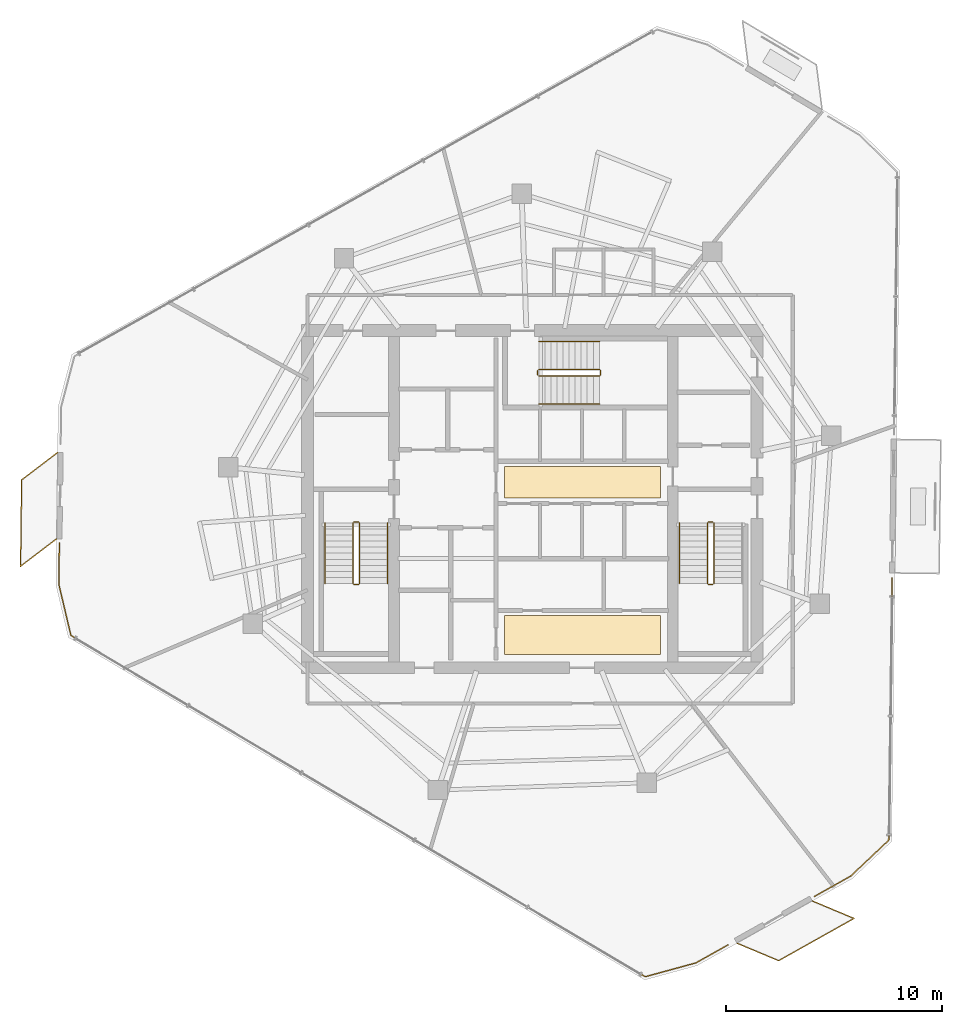
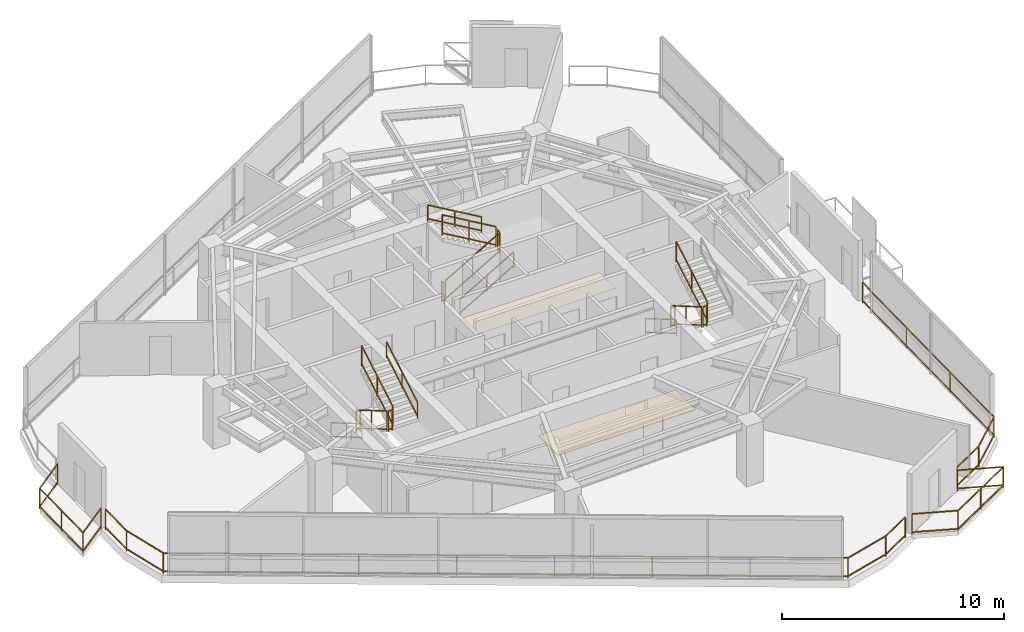
# One storey, part 17 of 18: 21 railings, 2 coverings.
"""IFC4 building model written with IfcOpenShell, lengths in metres."""

import ifcopenshell
import ifcopenshell.guid

model = None  # the IFC model being written
_history = None  # IfcOwnerHistory: only IFC2X3 demands one
_inside = {}  # id of a spatial element -> (the spatial element, [elements in it])
_under = {}  # id of a project, library or spatial element -> (it, [spatial elements below it])
_declared = {}  # id of a project -> (the project, [libraries it declares])
_typed = {}  # id of a type object -> (the type object, [elements of that type])
_made_of = {}  # id of a material, layer set ... -> (it, [elements and type objects made of it])


def new_model(schema):
    """Start an empty IFC model of exactly this schema.

    Asked for "IFC4X3", IfcOpenShell would pick the latest addendum, in which some entities
    have other attributes; the version numbers below select the first issue.
    IFC2X3 requires an IfcOwnerHistory on every rooted entity: one is made here for all.
    """
    global model, _history
    if schema == "IFC4X3":
        model = ifcopenshell.file(schema_version=(4, 3, 0, 0))
    else:
        model = ifcopenshell.file(schema=schema)
    _inside.clear()
    _under.clear()
    _declared.clear()
    _typed.clear()
    _made_of.clear()
    _history = None
    if model.schema == "IFC2X3":
        org = make("IfcOrganization", Name="unknown")
        user = make(
            "IfcPersonAndOrganization",
            ThePerson=make("IfcPerson", FamilyName="unknown"),
            TheOrganization=org,
        )
        app = make(
            "IfcApplication",
            ApplicationDeveloper=org,
            Version="unknown",
            ApplicationFullName="unknown",
            ApplicationIdentifier="unknown",
        )
        _history = make(
            "IfcOwnerHistory",
            OwningUser=user,
            OwningApplication=app,
            ChangeAction="ADDED",
            CreationDate=0,
        )
    return model


def make(cls, **values):
    """One entity of the class cls with the attributes given. An attribute that is None is left unset."""
    return model.create_entity(
        cls, **{name: value for name, value in values.items() if value is not None}
    )


def rooted(cls, **values):
    """An entity with a GlobalId (a new one), such as an element, a storey or a relation."""
    return make(cls, GlobalId=ifcopenshell.guid.new(), OwnerHistory=_history, **values)


def si_unit(unit_type, name, prefix=None):
    """IfcSIUnit, for example si_unit("LENGTHUNIT", "METRE", prefix="MILLI")."""
    return make("IfcSIUnit", UnitType=unit_type, Prefix=prefix, Name=name)


def assignment(units):
    """IfcUnitAssignment: the units of a project."""
    return None if units is None else make("IfcUnitAssignment", Units=units)


def point(xyz):
    """IfcCartesianPoint."""
    return None if xyz is None else make("IfcCartesianPoint", Coordinates=xyz)


def direction(xyz):
    """IfcDirection."""
    return None if xyz is None else make("IfcDirection", DirectionRatios=xyz)


def frame(location, z_axis=None, x_axis=None):
    """IfcAxis2Placement3D, a coordinate frame: its origin and axes. An axis left out is left unset."""
    return make(
        "IfcAxis2Placement3D",
        Location=point(location),
        Axis=direction(z_axis),
        RefDirection=direction(x_axis),
    )


def frame_2d(location, x_axis=None):
    """IfcAxis2Placement2D, a coordinate frame in the plane: its origin and x axis."""
    return make(
        "IfcAxis2Placement2D", Location=point(location), RefDirection=direction(x_axis)
    )


def origin():
    """The frame at (0, 0, 0) with its axes left unset."""
    return frame((0.0, 0.0, 0.0))


def origin_2d():
    """The frame at (0, 0) in the plane with its x axis left unset."""
    return frame_2d((0.0, 0.0))


def place(relative_to, where):
    """IfcLocalPlacement: puts the frame where relative to a parent placement (None: the world)."""
    return make(
        "IfcLocalPlacement", PlacementRelTo=relative_to, RelativePlacement=where
    )


def context(
    kind, dimensions, precision=None, world=None, true_north=None, identifier=None
):
    """IfcGeometricRepresentationContext, for example the 3D "Model" context."""
    return make(
        "IfcGeometricRepresentationContext",
        ContextIdentifier=identifier,
        ContextType=kind,
        CoordinateSpaceDimension=dimensions,
        Precision=precision,
        WorldCoordinateSystem=world,
        TrueNorth=true_north,
    )


def subcontext(parent, identifier, kind, view, scale=None):
    """IfcGeometricRepresentationSubContext, for example "Body" below "Model"."""
    return make(
        "IfcGeometricRepresentationSubContext",
        ContextIdentifier=identifier,
        ContextType=kind,
        ParentContext=parent,
        TargetScale=scale,
        TargetView=view,
    )


def project(units=None, contexts=None):
    """IfcProject with its units and contexts."""
    return rooted(
        "IfcProject",
        Name="project",
        RepresentationContexts=contexts,
        UnitsInContext=assignment(units),
    )


def spatial(cls, under=None, at=None, **own):
    """A site, building, storey or space (cls), placed at a placement, below another one or the project."""
    s = rooted(cls, ObjectPlacement=at, **own)
    if under is not None:
        _under.setdefault(under.id(), (under, []))[1].append(s)
    return s


def profile(cls, at=None, kind="AREA", **sizes):
    """A parametric profile (cls). Its sizes go by their IFC names, for example OverallWidth=200.0."""
    return make(cls, ProfileType=kind, Position=at, **sizes)


def rectangle(**sizes):
    """IfcRectangleProfileDef."""
    return profile("IfcRectangleProfileDef", **sizes)


def extrude(swept, where, along, depth):
    """IfcExtrudedAreaSolid: the profile swept, set in the frame where, extruded along a direction by depth."""
    return make(
        "IfcExtrudedAreaSolid",
        SweptArea=swept,
        Position=where,
        ExtrudedDirection=direction(along),
        Depth=depth,
    )


def shape(context_of_items, identifier, shape_type, items):
    """IfcShapeRepresentation: the items that make up one representation, for example the "Body"."""
    return make(
        "IfcShapeRepresentation",
        ContextOfItems=context_of_items,
        RepresentationIdentifier=identifier,
        RepresentationType=shape_type,
        Items=items,
    )


def material(Name=None, Category=None):
    """IfcMaterial."""
    return make("IfcMaterial", Name=Name, Category=Category)


def layer(
    of_material, thickness, ventilated=None, Name=None, Category=None, Priority=None
):
    """IfcMaterialLayer: one layer of a wall or slab, of a material (None: an air gap)."""
    return make(
        "IfcMaterialLayer",
        Material=of_material,
        LayerThickness=thickness,
        IsVentilated=ventilated,
        Name=Name,
        Category=Category,
        Priority=Priority,
    )


def layer_set(layers, Name=None):
    """IfcMaterialLayerSet."""
    return make("IfcMaterialLayerSet", MaterialLayers=layers, LayerSetName=Name)


def made_of(thing, what):
    """Note that an element or type object is made of a material, layer set ...; save() writes the relation."""
    if what is not None:
        _made_of.setdefault(what.id(), (what, []))[1].append(thing)
    return thing


def type_object(cls, material=None, **own):
    """A type object (cls), such as IfcWallType, which elements share."""
    return made_of(rooted(cls, **own), material)


def element(
    cls,
    number,
    at=None,
    inside=None,
    cuts=None,
    type_object=None,
    material=None,
    context=None,
    identifier="Body",
    shape_type=None,
    held_by="IfcProductDefinitionShape",
    body=None,
    shapes=None,
    **own,
):
    """One element of the class cls, such as IfcWall. Its Tag is "e" and its number.

    at: its placement. inside: the storey or other place that contains it. cuts: it is an
    opening in that element (IfcRelVoidsElement). A single representation is given by context,
    identifier, shape_type and body (its items); several are given by shapes. held_by: the class
    of the entity that holds the representations. save() writes the other relations.
    """
    e = rooted(cls, Tag="e%d" % number, ObjectPlacement=at, **own)
    if body is not None:
        shapes = [shape(context, identifier, shape_type, body)]
    if shapes is not None:
        e.Representation = make(held_by, Representations=shapes)
    if inside is not None:
        _inside.setdefault(inside.id(), (inside, []))[1].append(e)
    if cuts is not None:
        rooted(
            "IfcRelVoidsElement", RelatingBuildingElement=cuts, RelatedOpeningElement=e
        )
    if type_object is not None:
        _typed.setdefault(type_object.id(), (type_object, []))[1].append(e)
    return made_of(e, material)


def aggregate(whole, parts):
    """IfcRelAggregates: a whole, such as a stair, and the parts it consists of."""
    return rooted("IfcRelAggregates", RelatingObject=whole, RelatedObjects=parts)


def save(model, path):
    """Write the relations noted so far, then the file.

    IfcRelAggregates (storeys below a building ...), IfcRelContainedInSpatialStructure (elements
    in a storey), IfcRelDefinesByType, IfcRelAssociatesMaterial and IfcRelDeclares: one each for
    every whole, place, type object, material and project.
    """
    for whole, parts in _under.values():
        aggregate(whole, parts)
    for where, things in _inside.values():
        rooted(
            "IfcRelContainedInSpatialStructure",
            RelatedElements=things,
            RelatingStructure=where,
        )
    for kind, things in _typed.values():
        rooted("IfcRelDefinesByType", RelatedObjects=things, RelatingType=kind)
    for what, things in _made_of.values():
        rooted("IfcRelAssociatesMaterial", RelatedObjects=things, RelatingMaterial=what)
    for by, libraries in _declared.values():
        rooted("IfcRelDeclares", RelatingContext=by, RelatedDefinitions=libraries)
    model.write(path)


model = new_model("IFC4")

# Units and contexts
model_context = context("Model", 3, precision=1e-05, world=origin(), true_north=direction((0.0, 1.0)))
body_context = subcontext(model_context, "Body", "Model", "MODEL_VIEW")
ifc_project = project(units=[si_unit("LENGTHUNIT", "METRE"), si_unit("AREAUNIT", "SQUARE_METRE"), si_unit("VOLUMEUNIT", "CUBIC_METRE"), si_unit("PLANEANGLEUNIT", "RADIAN"), si_unit("MASSUNIT", "GRAM", prefix="KILO")], contexts=[model_context])

# Site, building, storey
site_placement = place(None, origin())
site = spatial("IfcSite", under=ifc_project, at=site_placement, CompositionType="ELEMENT")
building_placement = place(site_placement, origin())
building = spatial("IfcBuilding", under=site, at=building_placement, Name="Qarnah Convention Tower", CompositionType="ELEMENT")
storey_placement = place(building_placement, frame((0.0, 0.0, 177.0)))
storey = spatial("IfcBuildingStorey", under=building, at=storey_placement, Name="L47", CompositionType="ELEMENT", Elevation=177.0)

# Coverings
ifc_material_1 = material(Name="Mineral fibre acoustic ceiling")
ifc_layer_1 = layer(ifc_material_1, 0.02001953125)
ifc_layer_set_1 = layer_set([ifc_layer_1], Name="Mineral fibre acoustic ceiling")
covering_type_1 = type_object("IfcCoveringType", Name="COV-CEIL-20", PredefinedType="CEILING", material=ifc_layer_set_1)
covering_1_placement = place(storey_placement, frame((39.52001953125, 27.179931640625, 2.2900390625), z_axis=(0.0, 0.0, 1.0), x_axis=(1.0, 0.0, 0.0)))
element("IfcCovering", 1, at=covering_1_placement, inside=storey, type_object=covering_type_1, Name="L47 lift lobby acoustic ceiling", PredefinedType="CEILING", context=body_context, shape_type="SweptSolid", body=[
    extrude(rectangle(XDim=7.199951171875, YDim=1.449951171875, at=origin_2d()), origin(), (0.0, 0.0, 1.0), 0.02001953125),
])
ifc_material_2 = material(Name="Porcelain stone floor tile", Category="masonry")
ifc_layer_2 = layer(ifc_material_2, 0.02001953125)
ifc_layer_set_2 = layer_set([ifc_layer_2], Name="Porcelain stone floor tile")
covering_type_2 = type_object("IfcCoveringType", Name="COV-FLOOR-20", PredefinedType="FLOORING", material=ifc_layer_set_2)
covering_2_placement = place(storey_placement, frame((39.52001953125, 20.1201171875, 0.0), z_axis=(0.0, 0.0, 1.0), x_axis=(1.0, 0.0, 0.0)))
element("IfcCovering", 2, at=covering_2_placement, inside=storey, type_object=covering_type_2, Name="L47 lift lobby porcelain stone flooring", PredefinedType="FLOORING", context=body_context, shape_type="SweptSolid", body=[
    extrude(rectangle(XDim=7.199951171875, YDim=1.800048828125, at=origin_2d()), origin(), (0.0, 0.0, 1.0), 0.02001953125),
])

# Railings
ifc_material_3 = material(Name="Black anodised aluminium", Category="aluminium")
railing_type_1 = type_object("IfcRailingType", Name="RL-EXT-GUARD-1150", PredefinedType="GUARDRAIL", material=ifc_material_3)
railing_1_placement = place(storey_placement, frame((53.843994140625, 22.757080078125, 0.0)))
element("IfcRailing", 3, at=railing_1_placement, inside=storey, type_object=railing_type_1, Name="L47 slab-edge perimeter safety guard 03", PredefinedType="GUARDRAIL", context=body_context, shape_type="SweptSolid", body=[
    extrude(rectangle(XDim=0.048095703125, YDim=0.048095703125, at=origin_2d()), frame((0.0, 0.0, 1.1259765625), z_axis=(-0.012531957533, -0.999921471937, 0.0), x_axis=(0.999921471937, -0.012531957533, 0.0)), (0.0, 0.0, 1.0), 12.136962890625),
    extrude(rectangle(XDim=0.048095703125, YDim=0.048095703125, at=origin_2d()), frame((0.0, 0.0, 0.1201171875), z_axis=(-0.012531957533, -0.999921471937, 0.0), x_axis=(0.999921471937, -0.012531957533, 0.0)), (0.0, 0.0, 1.0), 12.136962890625),
    extrude(rectangle(XDim=0.048095703125, YDim=0.048095703125, at=origin_2d()), frame((-0.152099609375, -12.135986328125, 1.1259765625), z_axis=(-0.727786072794, -0.685804222973, 0.0), x_axis=(0.685804222973, -0.727786072794, 0.0)), (0.0, 0.0, 1.0), 2.425048828125),
    extrude(rectangle(XDim=0.048095703125, YDim=0.048095703125, at=origin_2d()), frame((-0.152099609375, -12.135986328125, 0.1201171875), z_axis=(-0.727786072794, -0.685804222973, 0.0), x_axis=(0.685804222973, -0.727786072794, 0.0)), (0.0, 0.0, 1.0), 2.425048828125),
    extrude(rectangle(XDim=0.048095703125, YDim=0.048095703125, at=origin_2d()), frame((-1.9169921875, -13.799072265625, 1.1259765625), z_axis=(-0.872283821626, -0.488999933057, 0.0), x_axis=(0.488999933057, -0.872283821626, 0.0)), (0.0, 0.0, 1.0), 1.9306640625),
    extrude(rectangle(XDim=0.048095703125, YDim=0.048095703125, at=origin_2d()), frame((-1.9169921875, -13.799072265625, 0.1201171875), z_axis=(-0.872283821626, -0.488999933057, 0.0), x_axis=(0.488999933057, -0.872283821626, 0.0)), (0.0, 0.0, 1.0), 1.9306640625),
    extrude(rectangle(XDim=0.0419921875, YDim=0.0419921875, at=origin_2d()), origin(), (0.0, 0.0, 1.0), 1.101806640625),
    extrude(rectangle(XDim=0.0419921875, YDim=0.0419921875, at=origin_2d()), frame((-0.05078125, -4.04541015625, 0.0)), (0.0, 0.0, 1.0), 1.101806640625),
    extrude(rectangle(XDim=0.0419921875, YDim=0.0419921875, at=origin_2d()), frame((-0.101318359375, -8.090576171875, 0.0)), (0.0, 0.0, 1.0), 1.101806640625),
    extrude(rectangle(XDim=0.0419921875, YDim=0.0419921875, at=origin_2d()), frame((-0.152099609375, -12.135986328125, 0.0)), (0.0, 0.0, 1.0), 1.101806640625),
    extrude(rectangle(XDim=0.0419921875, YDim=0.0419921875, at=origin_2d()), frame((-1.9169921875, -13.799072265625, 0.0)), (0.0, 0.0, 1.0), 1.101806640625),
    extrude(rectangle(XDim=0.0419921875, YDim=0.0419921875, at=origin_2d()), frame((-3.60107421875, -14.7431640625, 0.0)), (0.0, 0.0, 1.0), 1.101806640625),
])
railing_2_placement = place(storey_placement, frame((46.26708984375, 5.784912109375, 0.0)))
element("IfcRailing", 4, at=railing_2_placement, inside=storey, type_object=railing_type_1, Name="L47 slab-edge perimeter safety guard 04", PredefinedType="GUARDRAIL", context=body_context, shape_type="SweptSolid", body=[
    extrude(rectangle(XDim=0.048095703125, YDim=0.048095703125, at=origin_2d()), frame((0.0, 0.0, 1.1259765625), z_axis=(-0.872302573547, -0.488966481656, 0.0), x_axis=(0.488966481656, -0.872302573547, 0.0)), (0.0, 0.0, 1.0), 1.719482421875),
    extrude(rectangle(XDim=0.048095703125, YDim=0.048095703125, at=origin_2d()), frame((0.0, 0.0, 0.1201171875), z_axis=(-0.872302573547, -0.488966481656, 0.0), x_axis=(0.488966481656, -0.872302573547, 0.0)), (0.0, 0.0, 1.0), 1.719482421875),
    extrude(rectangle(XDim=0.048095703125, YDim=0.048095703125, at=origin_2d()), frame((-1.5, -0.8408203125, 1.1259765625), z_axis=(-0.964589506178, -0.263755728981, 0.0), x_axis=(0.263755728981, -0.964589506178, 0.0)), (0.0, 0.0, 1.0), 2.427001953125),
    extrude(rectangle(XDim=0.048095703125, YDim=0.048095703125, at=origin_2d()), frame((-1.5, -0.8408203125, 0.1201171875), z_axis=(-0.964589506178, -0.263755728981, 0.0), x_axis=(0.263755728981, -0.964589506178, 0.0)), (0.0, 0.0, 1.0), 2.427001953125),
    extrude(rectangle(XDim=0.048095703125, YDim=0.048095703125, at=origin_2d()), frame((-3.841064453125, -1.48095703125, 1.1259765625), z_axis=(-0.859660199801, 0.51086626516, 0.0), x_axis=(-0.51086626516, -0.859660199801, 0.0)), (0.0, 0.0, 1.0), 30.912109375),
    extrude(rectangle(XDim=0.048095703125, YDim=0.048095703125, at=origin_2d()), frame((-3.841064453125, -1.48095703125, 0.1201171875), z_axis=(-0.859660199801, 0.51086626516, 0.0), x_axis=(-0.51086626516, -0.859660199801, 0.0)), (0.0, 0.0, 1.0), 30.912109375),
    extrude(rectangle(XDim=0.048095703125, YDim=0.048095703125, at=origin_2d()), frame((-30.4150390625, 14.31103515625, 1.1259765625), z_axis=(-0.230127728371, 0.973160433143, 0.0), x_axis=(-0.973160433143, -0.230127728371, 0.0)), (0.0, 0.0, 1.0), 2.42529296875),
    extrude(rectangle(XDim=0.048095703125, YDim=0.048095703125, at=origin_2d()), frame((-30.4150390625, 14.31103515625, 0.1201171875), z_axis=(-0.230127728371, 0.973160433143, 0.0), x_axis=(-0.973160433143, -0.230127728371, 0.0)), (0.0, 0.0, 1.0), 2.42529296875),
    extrude(rectangle(XDim=0.048095703125, YDim=0.048095703125, at=origin_2d()), frame((-30.97314453125, 16.671142578125, 1.1259765625), z_axis=(0.013028622108, 0.999915123901, 0.0), x_axis=(-0.999915123901, 0.013028622108, 0.0)), (0.0, 0.0, 1.0), 1.93017578125),
    extrude(rectangle(XDim=0.048095703125, YDim=0.048095703125, at=origin_2d()), frame((-30.97314453125, 16.671142578125, 0.1201171875), z_axis=(0.013028622108, 0.999915123901, 0.0), x_axis=(-0.999915123901, 0.013028622108, 0.0)), (0.0, 0.0, 1.0), 1.93017578125),
    extrude(rectangle(XDim=0.0419921875, YDim=0.0419921875, at=origin_2d()), origin(), (0.0, 0.0, 1.0), 1.101806640625),
    extrude(rectangle(XDim=0.0419921875, YDim=0.0419921875, at=origin_2d()), frame((-1.5, -0.8408203125, 0.0)), (0.0, 0.0, 1.0), 1.101806640625),
    extrude(rectangle(XDim=0.0419921875, YDim=0.0419921875, at=origin_2d()), frame((-3.841064453125, -1.48095703125, 0.0)), (0.0, 0.0, 1.0), 1.101806640625),
    extrude(rectangle(XDim=0.0419921875, YDim=0.0419921875, at=origin_2d()), frame((-7.637451171875, 0.775146484375, 0.0)), (0.0, 0.0, 1.0), 1.101806640625),
    extrude(rectangle(XDim=0.0419921875, YDim=0.0419921875, at=origin_2d()), frame((-11.43359375, 3.031005859375, 0.0)), (0.0, 0.0, 1.0), 1.101806640625),
    extrude(rectangle(XDim=0.0419921875, YDim=0.0419921875, at=origin_2d()), frame((-15.22998046875, 5.287109375, 0.0)), (0.0, 0.0, 1.0), 1.101806640625),
    extrude(rectangle(XDim=0.0419921875, YDim=0.0419921875, at=origin_2d()), frame((-19.026123046875, 7.54296875, 0.0)), (0.0, 0.0, 1.0), 1.101806640625),
    extrude(rectangle(XDim=0.0419921875, YDim=0.0419921875, at=origin_2d()), frame((-22.822509765625, 9.799072265625, 0.0)), (0.0, 0.0, 1.0), 1.101806640625),
    extrude(rectangle(XDim=0.0419921875, YDim=0.0419921875, at=origin_2d()), frame((-26.61865234375, 12.054931640625, 0.0)), (0.0, 0.0, 1.0), 1.101806640625),
    extrude(rectangle(XDim=0.0419921875, YDim=0.0419921875, at=origin_2d()), frame((-30.4150390625, 14.31103515625, 0.0)), (0.0, 0.0, 1.0), 1.101806640625),
    extrude(rectangle(XDim=0.0419921875, YDim=0.0419921875, at=origin_2d()), frame((-30.97314453125, 16.671142578125, 0.0)), (0.0, 0.0, 1.0), 1.101806640625),
    extrude(rectangle(XDim=0.0419921875, YDim=0.0419921875, at=origin_2d()), frame((-30.947998046875, 18.60107421875, 0.0)), (0.0, 0.0, 1.0), 1.101806640625),
])
railing_3_placement = place(storey_placement, frame((15.18603515625, 24.56201171875, 0.0)))
element("IfcRailing", 5, at=railing_3_placement, inside=storey, type_object=railing_type_1, Name="L47 balcony safety guard BAL-L47-C2", PredefinedType="GUARDRAIL", context=body_context, shape_type="SweptSolid", body=[
    extrude(rectangle(XDim=0.048095703125, YDim=0.048095703125, at=origin_2d()), frame((0.0, 0.0, 1.1259765625), z_axis=(-0.795726071339, -0.605656684428, 0.0), x_axis=(0.605656684428, -0.795726071339, 0.0)), (0.0, 0.0, 1.0), 2.09375),
    extrude(rectangle(XDim=0.048095703125, YDim=0.048095703125, at=origin_2d()), frame((0.0, 0.0, 0.1201171875), z_axis=(-0.795726071339, -0.605656684428, 0.0), x_axis=(0.605656684428, -0.795726071339, 0.0)), (0.0, 0.0, 1.0), 2.09375),
    extrude(rectangle(XDim=0.048095703125, YDim=0.048095703125, at=origin_2d()), frame((-1.666015625, -1.26806640625, 1.1259765625), z_axis=(0.01251122772, 0.999921731527, 0.0), x_axis=(-0.999921731527, 0.01251122772, 0.0)), (0.0, 0.0, 1.0), 4.000244140625),
    extrude(rectangle(XDim=0.048095703125, YDim=0.048095703125, at=origin_2d()), frame((-1.666015625, -1.26806640625, 0.1201171875), z_axis=(0.01251122772, 0.999921731527, 0.0), x_axis=(-0.999921731527, 0.01251122772, 0.0)), (0.0, 0.0, 1.0), 4.000244140625),
    extrude(rectangle(XDim=0.048095703125, YDim=0.048095703125, at=origin_2d()), frame((-1.615966796875, 2.73193359375, 1.1259765625), z_axis=(0.795726071339, 0.605656684428, 0.0), x_axis=(-0.605656684428, 0.795726071339, 0.0)), (0.0, 0.0, 1.0), 2.09375),
    extrude(rectangle(XDim=0.048095703125, YDim=0.048095703125, at=origin_2d()), frame((-1.615966796875, 2.73193359375, 0.1201171875), z_axis=(0.795726071339, 0.605656684428, 0.0), x_axis=(-0.605656684428, 0.795726071339, 0.0)), (0.0, 0.0, 1.0), 2.09375),
    extrude(rectangle(XDim=0.0419921875, YDim=0.0419921875, at=origin_2d()), origin(), (0.0, 0.0, 1.0), 1.101806640625),
    extrude(rectangle(XDim=0.0419921875, YDim=0.0419921875, at=origin_2d()), frame((-1.666015625, -1.26806640625, 0.0)), (0.0, 0.0, 1.0), 1.101806640625),
    extrude(rectangle(XDim=0.0419921875, YDim=0.0419921875, at=origin_2d()), frame((-1.64111328125, 0.73193359375, 0.0)), (0.0, 0.0, 1.0), 1.101806640625),
    extrude(rectangle(XDim=0.0419921875, YDim=0.0419921875, at=origin_2d()), frame((-1.615966796875, 2.73193359375, 0.0)), (0.0, 0.0, 1.0), 1.101806640625),
    extrude(rectangle(XDim=0.0419921875, YDim=0.0419921875, at=origin_2d()), frame((0.050048828125, 4.0, 0.0)), (0.0, 0.0, 1.0), 1.101806640625),
])
railing_4_placement = place(storey_placement, frame((50.156982421875, 7.81103515625, 0.0)))
element("IfcRailing", 6, at=railing_4_placement, inside=storey, type_object=railing_type_1, Name="L47 balcony safety guard BAL-L47-C3", PredefinedType="GUARDRAIL", context=body_context, shape_type="SweptSolid", body=[
    extrude(rectangle(XDim=0.048095703125, YDim=0.048095703125, at=origin_2d()), frame((0.0, 0.0, 1.1259765625), z_axis=(0.922305695164, -0.38646112957, 0.0), x_axis=(0.38646112957, 0.922305695164, 0.0)), (0.0, 0.0, 1.0), 2.093505859375),
    extrude(rectangle(XDim=0.048095703125, YDim=0.048095703125, at=origin_2d()), frame((0.0, 0.0, 0.1201171875), z_axis=(0.922305695164, -0.38646112957, 0.0), x_axis=(0.38646112957, 0.922305695164, 0.0)), (0.0, 0.0, 1.0), 2.093505859375),
    extrude(rectangle(XDim=0.048095703125, YDim=0.048095703125, at=origin_2d()), frame((1.930908203125, -0.80908203125, 1.1259765625), z_axis=(-0.872256093016, -0.489049392389, 0.0), x_axis=(0.489049392389, -0.872256093016, 0.0)), (0.0, 0.0, 1.0), 3.999755859375),
    extrude(rectangle(XDim=0.048095703125, YDim=0.048095703125, at=origin_2d()), frame((1.930908203125, -0.80908203125, 0.1201171875), z_axis=(-0.872256093016, -0.489049392389, 0.0), x_axis=(0.489049392389, -0.872256093016, 0.0)), (0.0, 0.0, 1.0), 3.999755859375),
    extrude(rectangle(XDim=0.048095703125, YDim=0.048095703125, at=origin_2d()), frame((-1.557861328125, -2.76513671875, 1.1259765625), z_axis=(-0.922323109017, 0.386419568051, 0.0), x_axis=(-0.386419568051, -0.922323109017, 0.0)), (0.0, 0.0, 1.0), 2.09375),
    extrude(rectangle(XDim=0.048095703125, YDim=0.048095703125, at=origin_2d()), frame((-1.557861328125, -2.76513671875, 0.1201171875), z_axis=(-0.922323109017, 0.386419568051, 0.0), x_axis=(-0.386419568051, -0.922323109017, 0.0)), (0.0, 0.0, 1.0), 2.09375),
    extrude(rectangle(XDim=0.0419921875, YDim=0.0419921875, at=origin_2d()), origin(), (0.0, 0.0, 1.0), 1.101806640625),
    extrude(rectangle(XDim=0.0419921875, YDim=0.0419921875, at=origin_2d()), frame((1.930908203125, -0.80908203125, 0.0)), (0.0, 0.0, 1.0), 1.101806640625),
    extrude(rectangle(XDim=0.0419921875, YDim=0.0419921875, at=origin_2d()), frame((0.1865234375, -1.787109375, 0.0)), (0.0, 0.0, 1.0), 1.101806640625),
    extrude(rectangle(XDim=0.0419921875, YDim=0.0419921875, at=origin_2d()), frame((-1.557861328125, -2.76513671875, 0.0)), (0.0, 0.0, 1.0), 1.101806640625),
    extrude(rectangle(XDim=0.0419921875, YDim=0.0419921875, at=origin_2d()), frame((-3.489013671875, -1.9560546875, 0.0)), (0.0, 0.0, 1.0), 1.101806640625),
])
ifc_material_4 = material(Name="Structural steel S355JR", Category="steel")
railing_type_2 = type_object("IfcRailingType", Name="RL-STAIR-GUARD-1150", PredefinedType="GUARDRAIL", material=ifc_material_4)
railing_5_placement = place(storey_placement, frame((28.89990234375, 25.300048828125, 0.16357421875)))
element("IfcRailing", 7, at=railing_5_placement, inside=storey, type_object=railing_type_2, Name="L47 ST-1 stair guard 1", PredefinedType="GUARDRAIL", context=body_context, shape_type="SweptSolid", body=[
    extrude(rectangle(XDim=0.048095703125, YDim=0.048095703125, at=origin_2d()), frame((0.0, 0.0, 1.1259765625), z_axis=(0.0, -0.863360870873, 0.504586966384), x_axis=(1.0, 0.0, 0.0)), (0.0, 0.0, 1.0), 3.2431640625),
    extrude(rectangle(XDim=0.048095703125, YDim=0.048095703125, at=origin_2d()), frame((0.0, 0.0, 0.1201171875), z_axis=(0.0, -0.863360870873, 0.504586966384), x_axis=(1.0, 0.0, 0.0)), (0.0, 0.0, 1.0), 3.2431640625),
    extrude(rectangle(XDim=0.0419921875, YDim=0.0419921875, at=origin_2d()), origin(), (0.0, 0.0, 1.0), 1.101806640625),
    extrude(rectangle(XDim=0.0419921875, YDim=0.0419921875, at=origin_2d()), frame((0.0, -1.39990234375, 0.818359375)), (0.0, 0.0, 1.0), 1.101806640625),
    extrude(rectangle(XDim=0.0419921875, YDim=0.0419921875, at=origin_2d()), frame((0.0, -2.800048828125, 1.636474609375)), (0.0, 0.0, 1.0), 1.101806640625),
])
railing_6_placement = place(storey_placement, frame((28.949951171875, 22.449951171875, 1.800048828125)))
element("IfcRailing", 8, at=railing_6_placement, inside=storey, type_object=railing_type_2, Name="L47 ST-1 stair guard 2", PredefinedType="GUARDRAIL", context=body_context, shape_type="SweptSolid", body=[
    extrude(rectangle(XDim=0.048095703125, YDim=0.048095703125, at=origin_2d()), frame((0.0, 0.0, 1.1259765625), z_axis=(1.0, 0.0, 0.0), x_axis=(0.0, 1.0, 0.0)), (0.0, 0.0, 1.0), 0.199951171875),
    extrude(rectangle(XDim=0.048095703125, YDim=0.048095703125, at=origin_2d()), frame((0.0, 0.0, 0.1201171875), z_axis=(1.0, 0.0, 0.0), x_axis=(0.0, 1.0, 0.0)), (0.0, 0.0, 1.0), 0.199951171875),
    extrude(rectangle(XDim=0.0419921875, YDim=0.0419921875, at=origin_2d()), origin(), (0.0, 0.0, 1.0), 1.101806640625),
    extrude(rectangle(XDim=0.0419921875, YDim=0.0419921875, at=origin_2d()), frame((0.199951171875, 0.0, 0.0)), (0.0, 0.0, 1.0), 1.101806640625),
])
railing_7_placement = place(storey_placement, frame((29.199951171875, 22.5, 1.963623046875)))
element("IfcRailing", 9, at=railing_7_placement, inside=storey, type_object=railing_type_2, Name="L47 ST-1 stair guard 3", PredefinedType="GUARDRAIL", context=body_context, shape_type="SweptSolid", body=[
    extrude(rectangle(XDim=0.048095703125, YDim=0.048095703125, at=origin_2d()), frame((0.0, 0.0, 1.1259765625), z_axis=(0.0, 0.863360870873, 0.504586966384), x_axis=(-1.0, 0.0, 0.0)), (0.0, 0.0, 1.0), 3.2431640625),
    extrude(rectangle(XDim=0.048095703125, YDim=0.048095703125, at=origin_2d()), frame((0.0, 0.0, 0.1201171875), z_axis=(0.0, 0.863360870873, 0.504586966384), x_axis=(-1.0, 0.0, 0.0)), (0.0, 0.0, 1.0), 3.2431640625),
    extrude(rectangle(XDim=0.0419921875, YDim=0.0419921875, at=origin_2d()), origin(), (0.0, 0.0, 1.0), 1.101806640625),
    extrude(rectangle(XDim=0.0419921875, YDim=0.0419921875, at=origin_2d()), frame((0.0, 1.39990234375, 0.818359375)), (0.0, 0.0, 1.0), 1.101806640625),
    extrude(rectangle(XDim=0.0419921875, YDim=0.0419921875, at=origin_2d()), frame((0.0, 2.800048828125, 1.636474609375)), (0.0, 0.0, 1.0), 1.101806640625),
])
railing_8_placement = place(storey_placement, frame((28.949951171875, 25.35009765625, 0.0)))
element("IfcRailing", 10, at=railing_8_placement, inside=storey, type_object=railing_type_2, Name="L47 ST-1 stair guard 4", PredefinedType="GUARDRAIL", context=body_context, shape_type="SweptSolid", body=[
    extrude(rectangle(XDim=0.048095703125, YDim=0.048095703125, at=origin_2d()), frame((0.0, 0.0, 1.1259765625), z_axis=(1.0, 0.0, 0.0), x_axis=(0.0, 1.0, 0.0)), (0.0, 0.0, 1.0), 0.199951171875),
    extrude(rectangle(XDim=0.048095703125, YDim=0.048095703125, at=origin_2d()), frame((0.0, 0.0, 0.1201171875), z_axis=(1.0, 0.0, 0.0), x_axis=(0.0, 1.0, 0.0)), (0.0, 0.0, 1.0), 0.199951171875),
    extrude(rectangle(XDim=0.0419921875, YDim=0.0419921875, at=origin_2d()), origin(), (0.0, 0.0, 1.0), 1.101806640625),
    extrude(rectangle(XDim=0.0419921875, YDim=0.0419921875, at=origin_2d()), frame((0.199951171875, 0.0, 0.0)), (0.0, 0.0, 1.0), 1.101806640625),
])
railing_9_placement = place(storey_placement, frame((45.300048828125, 25.300048828125, 0.16357421875)))
element("IfcRailing", 11, at=railing_9_placement, inside=storey, type_object=railing_type_2, Name="L47 ST-2 stair guard 1", PredefinedType="GUARDRAIL", context=body_context, shape_type="SweptSolid", body=[
    extrude(rectangle(XDim=0.048095703125, YDim=0.048095703125, at=origin_2d()), frame((0.0, 0.0, 1.1259765625), z_axis=(0.0, -0.863360870873, 0.504586966384), x_axis=(1.0, 0.0, 0.0)), (0.0, 0.0, 1.0), 3.2431640625),
    extrude(rectangle(XDim=0.048095703125, YDim=0.048095703125, at=origin_2d()), frame((0.0, 0.0, 0.1201171875), z_axis=(0.0, -0.863360870873, 0.504586966384), x_axis=(1.0, 0.0, 0.0)), (0.0, 0.0, 1.0), 3.2431640625),
    extrude(rectangle(XDim=0.0419921875, YDim=0.0419921875, at=origin_2d()), origin(), (0.0, 0.0, 1.0), 1.101806640625),
    extrude(rectangle(XDim=0.0419921875, YDim=0.0419921875, at=origin_2d()), frame((0.0, -1.39990234375, 0.818359375)), (0.0, 0.0, 1.0), 1.101806640625),
    extrude(rectangle(XDim=0.0419921875, YDim=0.0419921875, at=origin_2d()), frame((0.0, -2.800048828125, 1.636474609375)), (0.0, 0.0, 1.0), 1.101806640625),
])
railing_10_placement = place(storey_placement, frame((45.35009765625, 22.449951171875, 1.800048828125)))
element("IfcRailing", 12, at=railing_10_placement, inside=storey, type_object=railing_type_2, Name="L47 ST-2 stair guard 2", PredefinedType="GUARDRAIL", context=body_context, shape_type="SweptSolid", body=[
    extrude(rectangle(XDim=0.048095703125, YDim=0.048095703125, at=origin_2d()), frame((0.0, 0.0, 1.1259765625), z_axis=(1.0, 0.0, 0.0), x_axis=(0.0, 1.0, 0.0)), (0.0, 0.0, 1.0), 0.199951171875),
    extrude(rectangle(XDim=0.048095703125, YDim=0.048095703125, at=origin_2d()), frame((0.0, 0.0, 0.1201171875), z_axis=(1.0, 0.0, 0.0), x_axis=(0.0, 1.0, 0.0)), (0.0, 0.0, 1.0), 0.199951171875),
    extrude(rectangle(XDim=0.0419921875, YDim=0.0419921875, at=origin_2d()), origin(), (0.0, 0.0, 1.0), 1.101806640625),
    extrude(rectangle(XDim=0.0419921875, YDim=0.0419921875, at=origin_2d()), frame((0.199951171875, 0.0, 0.0)), (0.0, 0.0, 1.0), 1.101806640625),
])
railing_11_placement = place(storey_placement, frame((45.60009765625, 22.5, 1.963623046875)))
element("IfcRailing", 13, at=railing_11_placement, inside=storey, type_object=railing_type_2, Name="L47 ST-2 stair guard 3", PredefinedType="GUARDRAIL", context=body_context, shape_type="SweptSolid", body=[
    extrude(rectangle(XDim=0.048095703125, YDim=0.048095703125, at=origin_2d()), frame((0.0, 0.0, 1.1259765625), z_axis=(0.0, 0.863360870873, 0.504586966384), x_axis=(-1.0, 0.0, 0.0)), (0.0, 0.0, 1.0), 3.2431640625),
    extrude(rectangle(XDim=0.048095703125, YDim=0.048095703125, at=origin_2d()), frame((0.0, 0.0, 0.1201171875), z_axis=(0.0, 0.863360870873, 0.504586966384), x_axis=(-1.0, 0.0, 0.0)), (0.0, 0.0, 1.0), 3.2431640625),
    extrude(rectangle(XDim=0.0419921875, YDim=0.0419921875, at=origin_2d()), origin(), (0.0, 0.0, 1.0), 1.101806640625),
    extrude(rectangle(XDim=0.0419921875, YDim=0.0419921875, at=origin_2d()), frame((0.0, 1.39990234375, 0.818359375)), (0.0, 0.0, 1.0), 1.101806640625),
    extrude(rectangle(XDim=0.0419921875, YDim=0.0419921875, at=origin_2d()), frame((0.0, 2.800048828125, 1.636474609375)), (0.0, 0.0, 1.0), 1.101806640625),
])
railing_12_placement = place(storey_placement, frame((45.35009765625, 25.35009765625, 0.0)))
element("IfcRailing", 14, at=railing_12_placement, inside=storey, type_object=railing_type_2, Name="L47 ST-2 stair guard 4", PredefinedType="GUARDRAIL", context=body_context, shape_type="SweptSolid", body=[
    extrude(rectangle(XDim=0.048095703125, YDim=0.048095703125, at=origin_2d()), frame((0.0, 0.0, 1.1259765625), z_axis=(1.0, 0.0, 0.0), x_axis=(0.0, 1.0, 0.0)), (0.0, 0.0, 1.0), 0.199951171875),
    extrude(rectangle(XDim=0.048095703125, YDim=0.048095703125, at=origin_2d()), frame((0.0, 0.0, 0.1201171875), z_axis=(1.0, 0.0, 0.0), x_axis=(0.0, 1.0, 0.0)), (0.0, 0.0, 1.0), 0.199951171875),
    extrude(rectangle(XDim=0.0419921875, YDim=0.0419921875, at=origin_2d()), origin(), (0.0, 0.0, 1.0), 1.101806640625),
    extrude(rectangle(XDim=0.0419921875, YDim=0.0419921875, at=origin_2d()), frame((0.199951171875, 0.0, 0.0)), (0.0, 0.0, 1.0), 1.101806640625),
])
railing_13_placement = place(storey_placement, frame((37.5, 32.10009765625, 0.16357421875)))
element("IfcRailing", 15, at=railing_13_placement, inside=storey, type_object=railing_type_2, Name="L47 ST-3 stair guard 1", PredefinedType="GUARDRAIL", context=body_context, shape_type="SweptSolid", body=[
    extrude(rectangle(XDim=0.048095703125, YDim=0.048095703125, at=origin_2d()), frame((0.0, 0.0, 1.1259765625), z_axis=(0.863360870873, 0.0, 0.504586966384), x_axis=(0.0, 1.0, 0.0)), (0.0, 0.0, 1.0), 3.2431640625),
    extrude(rectangle(XDim=0.048095703125, YDim=0.048095703125, at=origin_2d()), frame((0.0, 0.0, 0.1201171875), z_axis=(0.863360870873, 0.0, 0.504586966384), x_axis=(0.0, 1.0, 0.0)), (0.0, 0.0, 1.0), 3.2431640625),
    extrude(rectangle(XDim=0.0419921875, YDim=0.0419921875, at=origin_2d()), origin(), (0.0, 0.0, 1.0), 1.101806640625),
    extrude(rectangle(XDim=0.0419921875, YDim=0.0419921875, at=origin_2d()), frame((1.39990234375, 0.0, 0.818359375)), (0.0, 0.0, 1.0), 1.101806640625),
    extrude(rectangle(XDim=0.0419921875, YDim=0.0419921875, at=origin_2d()), frame((2.800048828125, 0.0, 1.636474609375)), (0.0, 0.0, 1.0), 1.101806640625),
])
railing_14_placement = place(storey_placement, frame((40.35009765625, 32.14990234375, 1.800048828125)))
element("IfcRailing", 16, at=railing_14_placement, inside=storey, type_object=railing_type_2, Name="L47 ST-3 stair guard 2", PredefinedType="GUARDRAIL", context=body_context, shape_type="SweptSolid", body=[
    extrude(rectangle(XDim=0.048095703125, YDim=0.048095703125, at=origin_2d()), frame((0.0, 0.0, 1.1259765625), z_axis=(0.0, 1.0, 0.0), x_axis=(-1.0, 0.0, 0.0)), (0.0, 0.0, 1.0), 0.2001953125),
    extrude(rectangle(XDim=0.048095703125, YDim=0.048095703125, at=origin_2d()), frame((0.0, 0.0, 0.1201171875), z_axis=(0.0, 1.0, 0.0), x_axis=(-1.0, 0.0, 0.0)), (0.0, 0.0, 1.0), 0.2001953125),
    extrude(rectangle(XDim=0.0419921875, YDim=0.0419921875, at=origin_2d()), origin(), (0.0, 0.0, 1.0), 1.101806640625),
    extrude(rectangle(XDim=0.0419921875, YDim=0.0419921875, at=origin_2d()), frame((0.0, 0.2001953125, 0.0)), (0.0, 0.0, 1.0), 1.101806640625),
])
railing_15_placement = place(storey_placement, frame((40.300048828125, 32.39990234375, 1.963623046875)))
element("IfcRailing", 17, at=railing_15_placement, inside=storey, type_object=railing_type_2, Name="L47 ST-3 stair guard 3", PredefinedType="GUARDRAIL", context=body_context, shape_type="SweptSolid", body=[
    extrude(rectangle(XDim=0.048095703125, YDim=0.048095703125, at=origin_2d()), frame((0.0, 0.0, 1.1259765625), z_axis=(-0.863360870873, 0.0, 0.504586966384), x_axis=(0.0, -1.0, 0.0)), (0.0, 0.0, 1.0), 3.2431640625),
    extrude(rectangle(XDim=0.048095703125, YDim=0.048095703125, at=origin_2d()), frame((0.0, 0.0, 0.1201171875), z_axis=(-0.863360870873, 0.0, 0.504586966384), x_axis=(0.0, -1.0, 0.0)), (0.0, 0.0, 1.0), 3.2431640625),
    extrude(rectangle(XDim=0.0419921875, YDim=0.0419921875, at=origin_2d()), origin(), (0.0, 0.0, 1.0), 1.101806640625),
    extrude(rectangle(XDim=0.0419921875, YDim=0.0419921875, at=origin_2d()), frame((-1.39990234375, 0.0, 0.818359375)), (0.0, 0.0, 1.0), 1.101806640625),
    extrude(rectangle(XDim=0.0419921875, YDim=0.0419921875, at=origin_2d()), frame((-2.800048828125, 0.0, 1.636474609375)), (0.0, 0.0, 1.0), 1.101806640625),
])
railing_16_placement = place(storey_placement, frame((37.449951171875, 32.14990234375, 0.0)))
element("IfcRailing", 18, at=railing_16_placement, inside=storey, type_object=railing_type_2, Name="L47 ST-3 stair guard 4", PredefinedType="GUARDRAIL", context=body_context, shape_type="SweptSolid", body=[
    extrude(rectangle(XDim=0.048095703125, YDim=0.048095703125, at=origin_2d()), frame((0.0, 0.0, 1.1259765625), z_axis=(0.0, 1.0, 0.0), x_axis=(-1.0, 0.0, 0.0)), (0.0, 0.0, 1.0), 0.2001953125),
    extrude(rectangle(XDim=0.048095703125, YDim=0.048095703125, at=origin_2d()), frame((0.0, 0.0, 0.1201171875), z_axis=(0.0, 1.0, 0.0), x_axis=(-1.0, 0.0, 0.0)), (0.0, 0.0, 1.0), 0.2001953125),
    extrude(rectangle(XDim=0.0419921875, YDim=0.0419921875, at=origin_2d()), origin(), (0.0, 0.0, 1.0), 1.101806640625),
    extrude(rectangle(XDim=0.0419921875, YDim=0.0419921875, at=origin_2d()), frame((0.0, 0.2001953125, 0.0)), (0.0, 0.0, 1.0), 1.101806640625),
])
railing_type_3 = type_object("IfcRailingType", Name="RL-STAIR-HAND-900", PredefinedType="HANDRAIL", material=ifc_material_4)
railing_17_placement = place(storey_placement, frame((27.60009765625, 25.300048828125, 0.16357421875)))
element("IfcRailing", 19, at=railing_17_placement, inside=storey, type_object=railing_type_3, Name="L47 ST-1 stair handrail 1", PredefinedType="HANDRAIL", context=body_context, shape_type="SweptSolid", body=[
    extrude(rectangle(XDim=0.048095703125, YDim=0.048095703125, at=origin_2d()), frame((0.0, 0.0, 0.8759765625), z_axis=(0.0, -0.863360870873, 0.504586966384), x_axis=(1.0, 0.0, 0.0)), (0.0, 0.0, 1.0), 3.2431640625),
    extrude(rectangle(XDim=0.048095703125, YDim=0.048095703125, at=origin_2d()), frame((0.0, 0.0, 0.1201171875), z_axis=(0.0, -0.863360870873, 0.504586966384), x_axis=(1.0, 0.0, 0.0)), (0.0, 0.0, 1.0), 3.2431640625),
    extrude(rectangle(XDim=0.0419921875, YDim=0.0419921875, at=origin_2d()), origin(), (0.0, 0.0, 1.0), 0.851806640625),
    extrude(rectangle(XDim=0.0419921875, YDim=0.0419921875, at=origin_2d()), frame((0.0, -1.39990234375, 0.818359375)), (0.0, 0.0, 1.0), 0.851806640625),
    extrude(rectangle(XDim=0.0419921875, YDim=0.0419921875, at=origin_2d()), frame((0.0, -2.800048828125, 1.636474609375)), (0.0, 0.0, 1.0), 0.851806640625),
])
railing_18_placement = place(storey_placement, frame((30.5, 22.5, 1.963623046875)))
element("IfcRailing", 20, at=railing_18_placement, inside=storey, type_object=railing_type_3, Name="L47 ST-1 stair handrail 2", PredefinedType="HANDRAIL", context=body_context, shape_type="SweptSolid", body=[
    extrude(rectangle(XDim=0.048095703125, YDim=0.048095703125, at=origin_2d()), frame((0.0, 0.0, 0.8759765625), z_axis=(0.0, 0.863360870873, 0.504586966384), x_axis=(-1.0, 0.0, 0.0)), (0.0, 0.0, 1.0), 3.2431640625),
    extrude(rectangle(XDim=0.048095703125, YDim=0.048095703125, at=origin_2d()), frame((0.0, 0.0, 0.1201171875), z_axis=(0.0, 0.863360870873, 0.504586966384), x_axis=(-1.0, 0.0, 0.0)), (0.0, 0.0, 1.0), 3.2431640625),
    extrude(rectangle(XDim=0.0419921875, YDim=0.0419921875, at=origin_2d()), origin(), (0.0, 0.0, 1.0), 0.851806640625),
    extrude(rectangle(XDim=0.0419921875, YDim=0.0419921875, at=origin_2d()), frame((0.0, 1.39990234375, 0.818359375)), (0.0, 0.0, 1.0), 0.851806640625),
    extrude(rectangle(XDim=0.0419921875, YDim=0.0419921875, at=origin_2d()), frame((0.0, 2.800048828125, 1.636474609375)), (0.0, 0.0, 1.0), 0.851806640625),
])
railing_19_placement = place(storey_placement, frame((44.0, 25.300048828125, 0.16357421875)))
element("IfcRailing", 21, at=railing_19_placement, inside=storey, type_object=railing_type_3, Name="L47 ST-2 stair handrail 1", PredefinedType="HANDRAIL", context=body_context, shape_type="SweptSolid", body=[
    extrude(rectangle(XDim=0.048095703125, YDim=0.048095703125, at=origin_2d()), frame((0.0, 0.0, 0.8759765625), z_axis=(0.0, -0.863360870873, 0.504586966384), x_axis=(1.0, 0.0, 0.0)), (0.0, 0.0, 1.0), 3.2431640625),
    extrude(rectangle(XDim=0.048095703125, YDim=0.048095703125, at=origin_2d()), frame((0.0, 0.0, 0.1201171875), z_axis=(0.0, -0.863360870873, 0.504586966384), x_axis=(1.0, 0.0, 0.0)), (0.0, 0.0, 1.0), 3.2431640625),
    extrude(rectangle(XDim=0.0419921875, YDim=0.0419921875, at=origin_2d()), origin(), (0.0, 0.0, 1.0), 0.851806640625),
    extrude(rectangle(XDim=0.0419921875, YDim=0.0419921875, at=origin_2d()), frame((0.0, -1.39990234375, 0.818359375)), (0.0, 0.0, 1.0), 0.851806640625),
    extrude(rectangle(XDim=0.0419921875, YDim=0.0419921875, at=origin_2d()), frame((0.0, -2.800048828125, 1.636474609375)), (0.0, 0.0, 1.0), 0.851806640625),
])
railing_20_placement = place(storey_placement, frame((37.5, 30.800048828125, 0.16357421875)))
element("IfcRailing", 22, at=railing_20_placement, inside=storey, type_object=railing_type_3, Name="L47 ST-3 stair handrail 1", PredefinedType="HANDRAIL", context=body_context, shape_type="SweptSolid", body=[
    extrude(rectangle(XDim=0.048095703125, YDim=0.048095703125, at=origin_2d()), frame((0.0, 0.0, 0.8759765625), z_axis=(0.863360870873, 0.0, 0.504586966384), x_axis=(0.0, 1.0, 0.0)), (0.0, 0.0, 1.0), 3.2431640625),
    extrude(rectangle(XDim=0.048095703125, YDim=0.048095703125, at=origin_2d()), frame((0.0, 0.0, 0.1201171875), z_axis=(0.863360870873, 0.0, 0.504586966384), x_axis=(0.0, 1.0, 0.0)), (0.0, 0.0, 1.0), 3.2431640625),
    extrude(rectangle(XDim=0.0419921875, YDim=0.0419921875, at=origin_2d()), origin(), (0.0, 0.0, 1.0), 0.851806640625),
    extrude(rectangle(XDim=0.0419921875, YDim=0.0419921875, at=origin_2d()), frame((1.39990234375, 0.0, 0.818359375)), (0.0, 0.0, 1.0), 0.851806640625),
    extrude(rectangle(XDim=0.0419921875, YDim=0.0419921875, at=origin_2d()), frame((2.800048828125, 0.0, 1.636474609375)), (0.0, 0.0, 1.0), 0.851806640625),
])
railing_21_placement = place(storey_placement, frame((40.300048828125, 33.699951171875, 1.963623046875)))
element("IfcRailing", 23, at=railing_21_placement, inside=storey, type_object=railing_type_3, Name="L47 ST-3 stair handrail 2", PredefinedType="HANDRAIL", context=body_context, shape_type="SweptSolid", body=[
    extrude(rectangle(XDim=0.048095703125, YDim=0.048095703125, at=origin_2d()), frame((0.0, 0.0, 0.8759765625), z_axis=(-0.863360870873, 0.0, 0.504586966384), x_axis=(0.0, -1.0, 0.0)), (0.0, 0.0, 1.0), 3.2431640625),
    extrude(rectangle(XDim=0.048095703125, YDim=0.048095703125, at=origin_2d()), frame((0.0, 0.0, 0.1201171875), z_axis=(-0.863360870873, 0.0, 0.504586966384), x_axis=(0.0, -1.0, 0.0)), (0.0, 0.0, 1.0), 3.2431640625),
    extrude(rectangle(XDim=0.0419921875, YDim=0.0419921875, at=origin_2d()), origin(), (0.0, 0.0, 1.0), 0.851806640625),
    extrude(rectangle(XDim=0.0419921875, YDim=0.0419921875, at=origin_2d()), frame((-1.39990234375, 0.0, 0.818359375)), (0.0, 0.0, 1.0), 0.851806640625),
    extrude(rectangle(XDim=0.0419921875, YDim=0.0419921875, at=origin_2d()), frame((-2.800048828125, 0.0, 1.636474609375)), (0.0, 0.0, 1.0), 0.851806640625),
])

save(model, "model.ifc")
